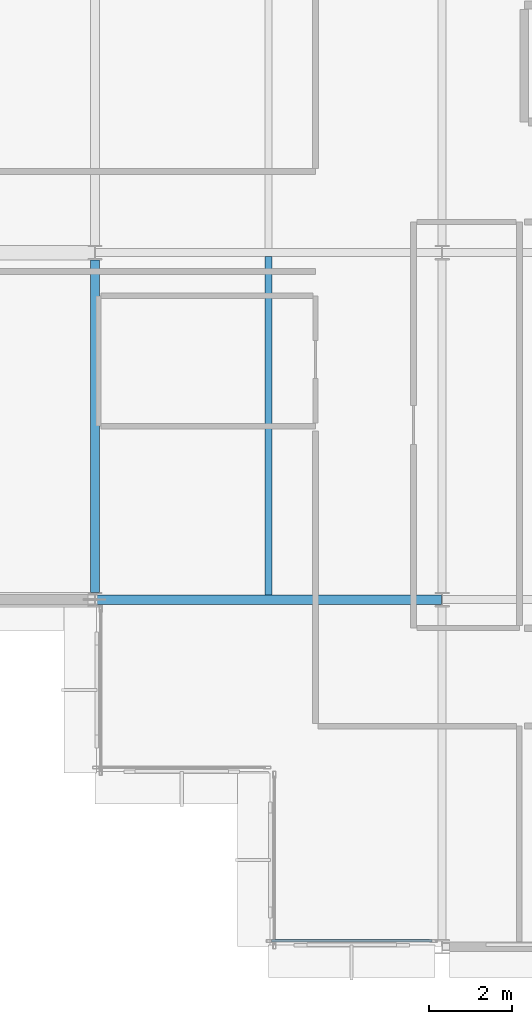
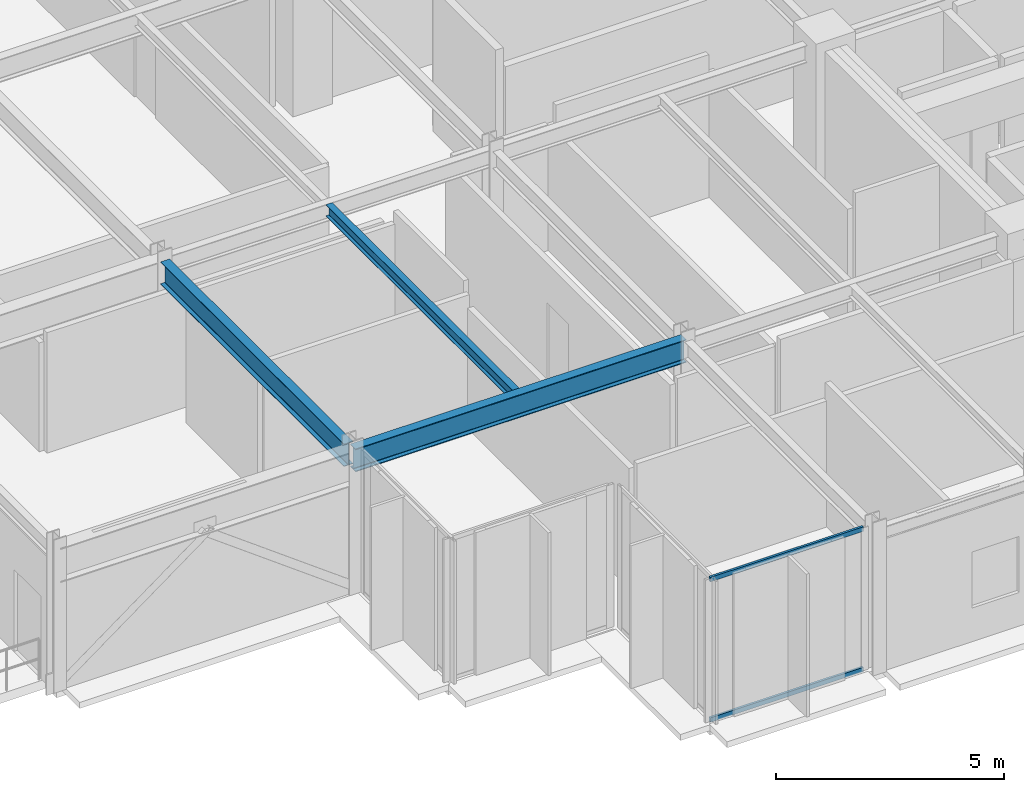
# One storey, part 5 of 30: 3 beams, 2 members, 1 element without a shape of its own.
"""IFC4 building model written with IfcOpenShell, lengths in metres."""

import ifcopenshell
import ifcopenshell.guid

model = None  # the IFC model being written
_history = None  # IfcOwnerHistory: only IFC2X3 demands one
_inside = {}  # id of a spatial element -> (the spatial element, [elements in it])
_under = {}  # id of a project, library or spatial element -> (it, [spatial elements below it])
_declared = {}  # id of a project -> (the project, [libraries it declares])
_typed = {}  # id of a type object -> (the type object, [elements of that type])
_made_of = {}  # id of a material, layer set ... -> (it, [elements and type objects made of it])


def new_model(schema):
    """Start an empty IFC model of exactly this schema.

    Asked for "IFC4X3", IfcOpenShell would pick the latest addendum, in which some entities
    have other attributes; the version numbers below select the first issue.
    IFC2X3 requires an IfcOwnerHistory on every rooted entity: one is made here for all.
    """
    global model, _history
    if schema == "IFC4X3":
        model = ifcopenshell.file(schema_version=(4, 3, 0, 0))
    else:
        model = ifcopenshell.file(schema=schema)
    _inside.clear()
    _under.clear()
    _declared.clear()
    _typed.clear()
    _made_of.clear()
    _history = None
    if model.schema == "IFC2X3":
        org = make("IfcOrganization", Name="unknown")
        user = make(
            "IfcPersonAndOrganization",
            ThePerson=make("IfcPerson", FamilyName="unknown"),
            TheOrganization=org,
        )
        app = make(
            "IfcApplication",
            ApplicationDeveloper=org,
            Version="unknown",
            ApplicationFullName="unknown",
            ApplicationIdentifier="unknown",
        )
        _history = make(
            "IfcOwnerHistory",
            OwningUser=user,
            OwningApplication=app,
            ChangeAction="ADDED",
            CreationDate=0,
        )
    return model


def make(cls, **values):
    """One entity of the class cls with the attributes given. An attribute that is None is left unset."""
    return model.create_entity(
        cls, **{name: value for name, value in values.items() if value is not None}
    )


def rooted(cls, **values):
    """An entity with a GlobalId (a new one), such as an element, a storey or a relation."""
    return make(cls, GlobalId=ifcopenshell.guid.new(), OwnerHistory=_history, **values)


def si_unit(unit_type, name, prefix=None):
    """IfcSIUnit, for example si_unit("LENGTHUNIT", "METRE", prefix="MILLI")."""
    return make("IfcSIUnit", UnitType=unit_type, Prefix=prefix, Name=name)


def assignment(units):
    """IfcUnitAssignment: the units of a project."""
    return None if units is None else make("IfcUnitAssignment", Units=units)


def point(xyz):
    """IfcCartesianPoint."""
    return None if xyz is None else make("IfcCartesianPoint", Coordinates=xyz)


def direction(xyz):
    """IfcDirection."""
    return None if xyz is None else make("IfcDirection", DirectionRatios=xyz)


def frame(location, z_axis=None, x_axis=None):
    """IfcAxis2Placement3D, a coordinate frame: its origin and axes. An axis left out is left unset."""
    return make(
        "IfcAxis2Placement3D",
        Location=point(location),
        Axis=direction(z_axis),
        RefDirection=direction(x_axis),
    )


def frame_2d(location, x_axis=None):
    """IfcAxis2Placement2D, a coordinate frame in the plane: its origin and x axis."""
    return make(
        "IfcAxis2Placement2D", Location=point(location), RefDirection=direction(x_axis)
    )


def origin():
    """The frame at (0, 0, 0) with its axes left unset."""
    return frame((0.0, 0.0, 0.0))


def origin_2d():
    """The frame at (0, 0) in the plane with its x axis left unset."""
    return frame_2d((0.0, 0.0))


def place(relative_to, where):
    """IfcLocalPlacement: puts the frame where relative to a parent placement (None: the world)."""
    return make(
        "IfcLocalPlacement", PlacementRelTo=relative_to, RelativePlacement=where
    )


def context(
    kind, dimensions, precision=None, world=None, true_north=None, identifier=None
):
    """IfcGeometricRepresentationContext, for example the 3D "Model" context."""
    return make(
        "IfcGeometricRepresentationContext",
        ContextIdentifier=identifier,
        ContextType=kind,
        CoordinateSpaceDimension=dimensions,
        Precision=precision,
        WorldCoordinateSystem=world,
        TrueNorth=true_north,
    )


def subcontext(parent, identifier, kind, view, scale=None):
    """IfcGeometricRepresentationSubContext, for example "Body" below "Model"."""
    return make(
        "IfcGeometricRepresentationSubContext",
        ContextIdentifier=identifier,
        ContextType=kind,
        ParentContext=parent,
        TargetScale=scale,
        TargetView=view,
    )


def project(units=None, contexts=None):
    """IfcProject with its units and contexts."""
    return rooted(
        "IfcProject",
        Name="project",
        RepresentationContexts=contexts,
        UnitsInContext=assignment(units),
    )


def spatial(cls, under=None, at=None, **own):
    """A site, building, storey or space (cls), placed at a placement, below another one or the project."""
    s = rooted(cls, ObjectPlacement=at, **own)
    if under is not None:
        _under.setdefault(under.id(), (under, []))[1].append(s)
    return s


def profile(cls, at=None, kind="AREA", **sizes):
    """A parametric profile (cls). Its sizes go by their IFC names, for example OverallWidth=200.0."""
    return make(cls, ProfileType=kind, Position=at, **sizes)


def hollow_rectangle(**sizes):
    """IfcRectangleHollowProfileDef."""
    return profile("IfcRectangleHollowProfileDef", **sizes)


def i_section(**sizes):
    """IfcIShapeProfileDef."""
    return profile("IfcIShapeProfileDef", **sizes)


def extrude(swept, where, along, depth):
    """IfcExtrudedAreaSolid: the profile swept, set in the frame where, extruded along a direction by depth."""
    return make(
        "IfcExtrudedAreaSolid",
        SweptArea=swept,
        Position=where,
        ExtrudedDirection=direction(along),
        Depth=depth,
    )


def shape(context_of_items, identifier, shape_type, items):
    """IfcShapeRepresentation: the items that make up one representation, for example the "Body"."""
    return make(
        "IfcShapeRepresentation",
        ContextOfItems=context_of_items,
        RepresentationIdentifier=identifier,
        RepresentationType=shape_type,
        Items=items,
    )


def material(Name=None, Category=None):
    """IfcMaterial."""
    return make("IfcMaterial", Name=Name, Category=Category)


def layer(
    of_material, thickness, ventilated=None, Name=None, Category=None, Priority=None
):
    """IfcMaterialLayer: one layer of a wall or slab, of a material (None: an air gap)."""
    return make(
        "IfcMaterialLayer",
        Material=of_material,
        LayerThickness=thickness,
        IsVentilated=ventilated,
        Name=Name,
        Category=Category,
        Priority=Priority,
    )


def layer_set(layers, Name=None):
    """IfcMaterialLayerSet."""
    return make("IfcMaterialLayerSet", MaterialLayers=layers, LayerSetName=Name)


def material_profile(
    of_material, cross_section, Name=None, Category=None, Priority=None
):
    """IfcMaterialProfile: a cross section and its material."""
    return make(
        "IfcMaterialProfile",
        Name=Name,
        Material=of_material,
        Profile=cross_section,
        Priority=Priority,
        Category=Category,
    )


def profile_set(profiles, Name=None, composite=None):
    """IfcMaterialProfileSet."""
    return make(
        "IfcMaterialProfileSet",
        Name=Name,
        MaterialProfiles=profiles,
        CompositeProfile=composite,
    )


def made_of(thing, what):
    """Note that an element or type object is made of a material, layer set ...; save() writes the relation."""
    if what is not None:
        _made_of.setdefault(what.id(), (what, []))[1].append(thing)
    return thing


def type_object(cls, material=None, **own):
    """A type object (cls), such as IfcWallType, which elements share."""
    return made_of(rooted(cls, **own), material)


def element(
    cls,
    number,
    at=None,
    inside=None,
    cuts=None,
    type_object=None,
    material=None,
    context=None,
    identifier="Body",
    shape_type=None,
    held_by="IfcProductDefinitionShape",
    body=None,
    shapes=None,
    **own,
):
    """One element of the class cls, such as IfcWall. Its Tag is "e" and its number.

    at: its placement. inside: the storey or other place that contains it. cuts: it is an
    opening in that element (IfcRelVoidsElement). A single representation is given by context,
    identifier, shape_type and body (its items); several are given by shapes. held_by: the class
    of the entity that holds the representations. save() writes the other relations.
    """
    e = rooted(cls, Tag="e%d" % number, ObjectPlacement=at, **own)
    if body is not None:
        shapes = [shape(context, identifier, shape_type, body)]
    if shapes is not None:
        e.Representation = make(held_by, Representations=shapes)
    if inside is not None:
        _inside.setdefault(inside.id(), (inside, []))[1].append(e)
    if cuts is not None:
        rooted(
            "IfcRelVoidsElement", RelatingBuildingElement=cuts, RelatedOpeningElement=e
        )
    if type_object is not None:
        _typed.setdefault(type_object.id(), (type_object, []))[1].append(e)
    return made_of(e, material)


def aggregate(whole, parts):
    """IfcRelAggregates: a whole, such as a stair, and the parts it consists of."""
    return rooted("IfcRelAggregates", RelatingObject=whole, RelatedObjects=parts)


def save(model, path):
    """Write the relations noted so far, then the file.

    IfcRelAggregates (storeys below a building ...), IfcRelContainedInSpatialStructure (elements
    in a storey), IfcRelDefinesByType, IfcRelAssociatesMaterial and IfcRelDeclares: one each for
    every whole, place, type object, material and project.
    """
    for whole, parts in _under.values():
        aggregate(whole, parts)
    for where, things in _inside.values():
        rooted(
            "IfcRelContainedInSpatialStructure",
            RelatedElements=things,
            RelatingStructure=where,
        )
    for kind, things in _typed.values():
        rooted("IfcRelDefinesByType", RelatedObjects=things, RelatingType=kind)
    for what, things in _made_of.values():
        rooted("IfcRelAssociatesMaterial", RelatedObjects=things, RelatingMaterial=what)
    for by, libraries in _declared.values():
        rooted("IfcRelDeclares", RelatingContext=by, RelatedDefinitions=libraries)
    model.write(path)


model = new_model("IFC4")

# Units and contexts
model_context = context("Model", 3, precision=1e-05, world=origin(), true_north=direction((0.0, 1.0)))
body_context = subcontext(model_context, "Body", "Model", "MODEL_VIEW")
ifc_project = project(units=[si_unit("LENGTHUNIT", "METRE"), si_unit("AREAUNIT", "SQUARE_METRE"), si_unit("VOLUMEUNIT", "CUBIC_METRE"), si_unit("PLANEANGLEUNIT", "RADIAN"), si_unit("MASSUNIT", "GRAM", prefix="KILO")], contexts=[model_context])

# Site, building, storey
site_placement = place(None, origin())
site = spatial("IfcSite", under=ifc_project, at=site_placement, CompositionType="ELEMENT")
building_placement = place(site_placement, origin())
building = spatial("IfcBuilding", under=site, at=building_placement, Name="Nerrivon Quay Data Exchange", CompositionType="ELEMENT")
storey_placement = place(building_placement, frame((0.0, 0.0, 171.39990234375)))
storey = spatial("IfcBuildingStorey", under=building, at=storey_placement, Name="L40", CompositionType="ELEMENT", Elevation=171.39990234375)

# Beams
ifc_material_1 = material(Name="Steel Grade 350", Category="steel")
ifc_material_profile_1 = material_profile(ifc_material_1, i_section(OverallWidth=0.22900390625, OverallDepth=0.612060546875, WebThickness=0.011962890625, FlangeThickness=0.01953125, FilletRadius=0.013916015625, at=origin_2d()), Name="610UB125")
ifc_profile_set_1 = profile_set([ifc_material_profile_1], Name="Steel Grade 350")
beam_type_1 = type_object("IfcBeamType", Name="BM-G1-610UB125", PredefinedType="BEAM", material=ifc_profile_set_1)
beam_1_placement = place(storey_placement, frame((0.010009765625, 8.39990234375, 3.51904296875), z_axis=(1.0, 0.0, 0.0), x_axis=(0.0, 1.0, 0.0)))
element("IfcBeam", 1, at=beam_1_placement, inside=storey, type_object=beam_type_1, Name="L40 EW Girder Y=8.4 (0.0..8.4)", PredefinedType="BEAM", context=body_context, shape_type="SweptSolid", body=[
    extrude(i_section(OverallWidth=0.22900390625, OverallDepth=0.612060546875, WebThickness=0.011962890625, FlangeThickness=0.01953125, FilletRadius=0.013916015625, at=origin_2d()), origin(), (0.0, 0.0, 1.0), 8.3798828125),
])
ifc_material_profile_2 = material_profile(ifc_material_1, i_section(OverallWidth=0.22802734375, OverallDepth=0.60205078125, WebThickness=0.010498046875, FlangeThickness=0.014892578125, FilletRadius=0.013916015625, at=origin_2d()), Name="610UB101")
ifc_profile_set_2 = profile_set([ifc_material_profile_2], Name="Steel Grade 350")
beam_type_2 = type_object("IfcBeamType", Name="BM-G2-610UB101", PredefinedType="BEAM", material=ifc_profile_set_2)
beam_2_placement = place(storey_placement, frame((0.0, 8.574951171875, 3.524169921875), z_axis=(0.0, 1.0, 0.0), x_axis=(-1.0, 0.0, 0.0)))
element("IfcBeam", 2, at=beam_2_placement, inside=storey, type_object=beam_type_2, Name="L40 NS Girder X=0.0 (8.4..16.8)", PredefinedType="BEAM", context=body_context, shape_type="SweptSolid", body=[
    extrude(i_section(OverallWidth=0.22802734375, OverallDepth=0.60205078125, WebThickness=0.010498046875, FlangeThickness=0.014892578125, FilletRadius=0.013916015625, at=origin_2d()), origin(), (0.0, 0.0, 1.0), 8.050048828125),
])
ifc_material_profile_3 = material_profile(ifc_material_1, i_section(OverallWidth=0.166015625, OverallDepth=0.306884765625, WebThickness=0.006591796875, FlangeThickness=0.01171875, FilletRadius=0.011474609375, at=origin_2d()), Name="310UB46.2")
ifc_profile_set_3 = profile_set([ifc_material_profile_3], Name="Steel Grade 350")
beam_type_3 = type_object("IfcBeamType", Name="BM-J5-310UB46", PredefinedType="JOIST", material=ifc_profile_set_3)
beam_3_placement = place(storey_placement, frame((4.199951171875, 8.514404296875, 3.671630859375), z_axis=(0.0, 1.0, 0.0), x_axis=(-1.0, 0.0, 0.0)))
element("IfcBeam", 3, at=beam_3_placement, inside=storey, type_object=beam_type_3, Name="L40 Secondary Joist X=4.2 (8.4..16.8)", PredefinedType="JOIST", context=body_context, shape_type="SweptSolid", body=[
    extrude(i_section(OverallWidth=0.166015625, OverallDepth=0.306884765625, WebThickness=0.006591796875, FlangeThickness=0.01171875, FilletRadius=0.011474609375, at=origin_2d()), origin(), (0.0, 0.0, 1.0), 8.190185546875),
])

# Curtain wall, members
ifc_material_2 = material(Name="Anodised aluminium 6063-T6", Category="aluminium")
ifc_layer = layer(ifc_material_2, 0.195068359375)
ifc_layer_set = layer_set([ifc_layer], Name="Anodised aluminium 6063-T6")
curtain_wall_type = type_object("IfcCurtainWallType", Name="CW-SYS-06", PredefinedType="NOTDEFINED", material=ifc_layer_set)
curtain_wall_placement = place(storey_placement, origin())
curtain_wall = element("IfcCurtainWall", 4, at=curtain_wall_placement, inside=storey, type_object=curtain_wall_type, Name="L40 Unitised Curtain Wall 28", PredefinedType="NOTDEFINED")
ifc_material_profile_4 = material_profile(ifc_material_2, hollow_rectangle(XDim=0.06005859375, YDim=0.1201171875, WallThickness=0.003173828125, at=origin_2d()), Name="ALU-TRAN-120x60")
ifc_profile_set_4 = profile_set([ifc_material_profile_4], Name="Anodised aluminium 6063-T6")
member_type = type_object("IfcMemberType", Name="CWT-120x60", PredefinedType="USERDEFINED", material=ifc_profile_set_4)
member_1_placement = place(storey_placement, frame((8.14990234375, 0.139892578125, 0.03271484375), z_axis=(-1.0, 0.0, 0.0), x_axis=(0.0, -1.0, 0.0)))
member_1 = element("IfcMember", 5, at=member_1_placement, type_object=member_type, Name="CW06 transom 1.1", ObjectType="TRANSOM", PredefinedType="USERDEFINED", context=body_context, shape_type="SweptSolid", body=[
    extrude(hollow_rectangle(XDim=0.06005859375, YDim=0.1201171875, WallThickness=0.003173828125, at=origin_2d()), origin(), (0.0, 0.0, 1.0), 3.875),
])
member_2_placement = place(storey_placement, frame((8.14990234375, 0.139892578125, 3.79248046875), z_axis=(-1.0, 0.0, 0.0), x_axis=(0.0, -1.0, 0.0)))
member_2 = element("IfcMember", 6, at=member_2_placement, type_object=member_type, Name="CW06 transom 1.2", ObjectType="TRANSOM", PredefinedType="USERDEFINED", context=body_context, shape_type="SweptSolid", body=[
    extrude(hollow_rectangle(XDim=0.06005859375, YDim=0.1201171875, WallThickness=0.003173828125, at=origin_2d()), origin(), (0.0, 0.0, 1.0), 3.875),
])
aggregate(curtain_wall, [member_1, member_2])

save(model, "model.ifc")
